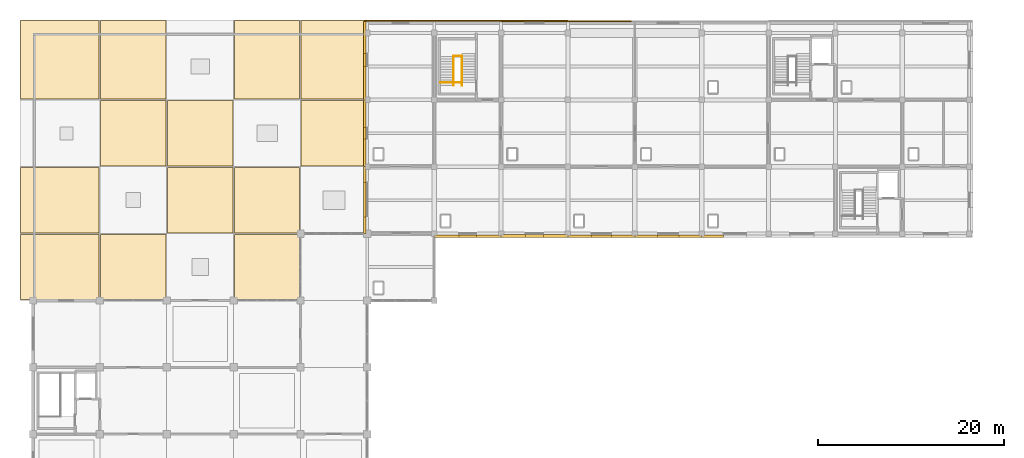
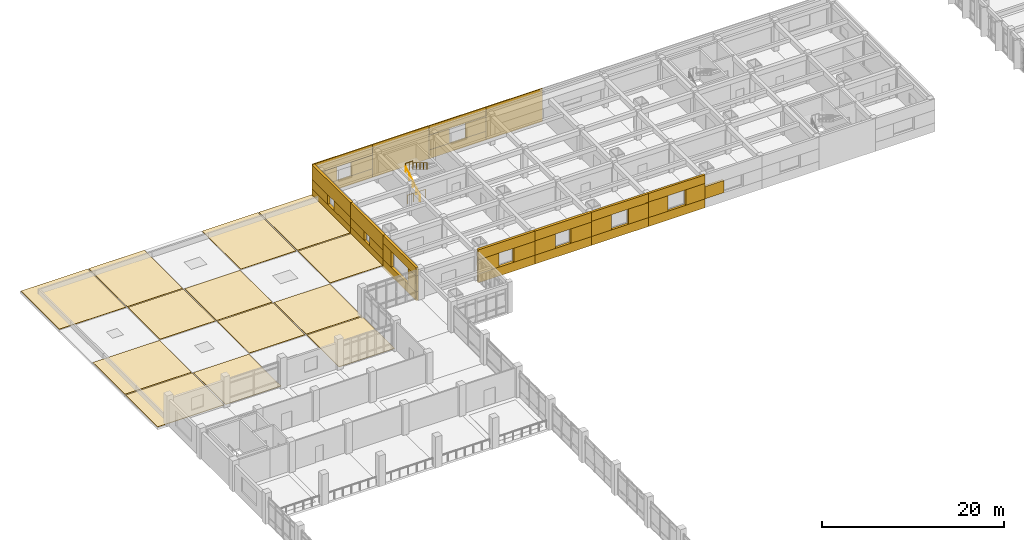
# One storey, part 60 of 62: 52 coverings, 4 railings.
"""IFC4 building model written with IfcOpenShell, lengths in metres."""

from ifc_helpers import new_model, si_unit, direction, frame, origin, origin_2d, place, context, subcontext, project, spatial, polyline, circle, outline, extrude, material, layer, layer_set, type_object, element, save


model = new_model("IFC4")

# Units and contexts
model_context = context("Model", 3, precision=1e-05, world=origin(), true_north=direction((0.0, 1.0)))
body_context = subcontext(model_context, "Body", "Model", "MODEL_VIEW")
ifc_project = project(units=[si_unit("LENGTHUNIT", "METRE"), si_unit("AREAUNIT", "SQUARE_METRE"), si_unit("VOLUMEUNIT", "CUBIC_METRE"), si_unit("PLANEANGLEUNIT", "RADIAN"), si_unit("MASSUNIT", "GRAM", prefix="KILO")], contexts=[model_context])

# Site, building, storey
site_placement = place(None, origin())
site = spatial("IfcSite", under=ifc_project, at=site_placement, CompositionType="ELEMENT")
building_placement = place(site_placement, origin())
building = spatial("IfcBuilding", under=site, at=building_placement, Name="Kavelor Marine Aquarium", CompositionType="ELEMENT")
storey_placement = place(building_placement, frame((0.0, 0.0, 13.5)))
storey = spatial("IfcBuildingStorey", under=building, at=storey_placement, Name="L03", CompositionType="ELEMENT", Elevation=13.5)

# Coverings
ifc_material_1 = material(Name="TPO Reflective Waterproof Roofing Membrane")
ifc_layer_1 = layer(ifc_material_1, 0.06005859375)
ifc_layer_set_1 = layer_set([ifc_layer_1], Name="COV-RF1")
covering_type_1 = type_object("IfcCoveringType", Name="COV-RF1", PredefinedType="ROOFING", material=ifc_layer_set_1)
covering_1_placement = place(storey_placement, origin())
element("IfcCovering", 1, at=covering_1_placement, inside=storey, type_object=covering_type_1, Name="rcov:L03:00_11", PredefinedType="ROOFING", context=body_context, shape_type="SweptSolid", body=[
    extrude(outline(polyline([(1.8798828125, 82.080078125), (10.320068359375, 82.080078125), (10.320068359375, 89.1201171875), (1.8798828125, 89.1201171875), (1.8798828125, 82.080078125)])), origin(), (0.0, 0.0, 1.0), 0.06005859375),
])
covering_2_placement = place(storey_placement, origin())
element("IfcCovering", 2, at=covering_2_placement, inside=storey, type_object=covering_type_1, Name="rcov:L03:00_12", PredefinedType="ROOFING", context=body_context, shape_type="SweptSolid", body=[
    extrude(outline(polyline([(1.8798828125, 89.280029296875), (10.320068359375, 89.280029296875), (10.320068359375, 96.320068359375), (1.8798828125, 96.320068359375), (1.8798828125, 89.280029296875)])), origin(), (0.0, 0.0, 1.0), 0.06005859375),
])
covering_3_placement = place(storey_placement, origin())
element("IfcCovering", 3, at=covering_3_placement, inside=storey, type_object=covering_type_1, Name="rcov:L03:00_14", PredefinedType="ROOFING", context=body_context, shape_type="SweptSolid", body=[
    extrude(outline(polyline([(1.8798828125, 103.679931640625), (10.320068359375, 103.679931640625), (10.320068359375, 112.1201171875), (1.8798828125, 112.1201171875), (1.8798828125, 103.679931640625)])), origin(), (0.0, 0.0, 1.0), 0.06005859375),
])
covering_4_placement = place(storey_placement, origin())
element("IfcCovering", 4, at=covering_4_placement, inside=storey, type_object=covering_type_1, Name="rcov:L03:01_11", PredefinedType="ROOFING", context=body_context, shape_type="SweptSolid", body=[
    extrude(outline(polyline([(10.47998046875, 82.080078125), (17.52001953125, 82.080078125), (17.52001953125, 89.1201171875), (10.47998046875, 89.1201171875), (10.47998046875, 82.080078125)])), origin(), (0.0, 0.0, 1.0), 0.06005859375),
])
covering_5_placement = place(storey_placement, origin())
element("IfcCovering", 5, at=covering_5_placement, inside=storey, type_object=covering_type_1, Name="rcov:L03:01_13", PredefinedType="ROOFING", context=body_context, shape_type="SweptSolid", body=[
    extrude(outline(polyline([(10.47998046875, 96.47998046875), (17.52001953125, 96.47998046875), (17.52001953125, 103.52001953125), (10.47998046875, 103.52001953125), (10.47998046875, 96.47998046875)])), origin(), (0.0, 0.0, 1.0), 0.06005859375),
])
covering_6_placement = place(storey_placement, origin())
element("IfcCovering", 6, at=covering_6_placement, inside=storey, type_object=covering_type_1, Name="rcov:L03:01_14", PredefinedType="ROOFING", context=body_context, shape_type="SweptSolid", body=[
    extrude(outline(polyline([(10.47998046875, 103.679931640625), (17.52001953125, 103.679931640625), (17.52001953125, 112.1201171875), (10.47998046875, 112.1201171875), (10.47998046875, 103.679931640625)])), origin(), (0.0, 0.0, 1.0), 0.06005859375),
])
covering_7_placement = place(storey_placement, origin())
element("IfcCovering", 7, at=covering_7_placement, inside=storey, type_object=covering_type_1, Name="rcov:L03:02_12", PredefinedType="ROOFING", context=body_context, shape_type="SweptSolid", body=[
    extrude(outline(polyline([(17.679931640625, 89.280029296875), (24.719970703125, 89.280029296875), (24.719970703125, 96.320068359375), (17.679931640625, 96.320068359375), (17.679931640625, 89.280029296875)])), origin(), (0.0, 0.0, 1.0), 0.06005859375),
])
covering_8_placement = place(storey_placement, origin())
element("IfcCovering", 8, at=covering_8_placement, inside=storey, type_object=covering_type_1, Name="rcov:L03:02_13", PredefinedType="ROOFING", context=body_context, shape_type="SweptSolid", body=[
    extrude(outline(polyline([(17.679931640625, 96.47998046875), (24.719970703125, 96.47998046875), (24.719970703125, 103.52001953125), (17.679931640625, 103.52001953125), (17.679931640625, 96.47998046875)])), origin(), (0.0, 0.0, 1.0), 0.06005859375),
])
covering_9_placement = place(storey_placement, origin())
element("IfcCovering", 9, at=covering_9_placement, inside=storey, type_object=covering_type_1, Name="rcov:L03:03_11", PredefinedType="ROOFING", context=body_context, shape_type="SweptSolid", body=[
    extrude(outline(polyline([(24.8798828125, 82.080078125), (31.919921875, 82.080078125), (31.919921875, 89.1201171875), (24.8798828125, 89.1201171875), (24.8798828125, 82.080078125)])), origin(), (0.0, 0.0, 1.0), 0.06005859375),
])
covering_10_placement = place(storey_placement, origin())
element("IfcCovering", 10, at=covering_10_placement, inside=storey, type_object=covering_type_1, Name="rcov:L03:03_12", PredefinedType="ROOFING", context=body_context, shape_type="SweptSolid", body=[
    extrude(outline(polyline([(24.8798828125, 89.280029296875), (31.919921875, 89.280029296875), (31.919921875, 96.320068359375), (24.8798828125, 96.320068359375), (24.8798828125, 89.280029296875)])), origin(), (0.0, 0.0, 1.0), 0.06005859375),
])
covering_11_placement = place(storey_placement, origin())
element("IfcCovering", 11, at=covering_11_placement, inside=storey, type_object=covering_type_1, Name="rcov:L03:03_14", PredefinedType="ROOFING", context=body_context, shape_type="SweptSolid", body=[
    extrude(outline(polyline([(24.8798828125, 103.679931640625), (31.919921875, 103.679931640625), (31.919921875, 112.1201171875), (24.8798828125, 112.1201171875), (24.8798828125, 103.679931640625)])), origin(), (0.0, 0.0, 1.0), 0.06005859375),
])
covering_12_placement = place(storey_placement, origin())
element("IfcCovering", 12, at=covering_12_placement, inside=storey, type_object=covering_type_1, Name="rcov:L03:04_13", PredefinedType="ROOFING", context=body_context, shape_type="SweptSolid", body=[
    extrude(outline(polyline([(32.080078125, 96.47998046875), (39.1201171875, 96.47998046875), (39.1201171875, 103.52001953125), (32.080078125, 103.52001953125), (32.080078125, 96.47998046875)])), origin(), (0.0, 0.0, 1.0), 0.06005859375),
])
covering_13_placement = place(storey_placement, origin())
element("IfcCovering", 13, at=covering_13_placement, inside=storey, type_object=covering_type_1, Name="rcov:L03:04_14", PredefinedType="ROOFING", context=body_context, shape_type="SweptSolid", body=[
    extrude(outline(polyline([(32.080078125, 103.679931640625), (39.1201171875, 103.679931640625), (39.1201171875, 112.1201171875), (32.080078125, 112.1201171875), (32.080078125, 103.679931640625)])), origin(), (0.0, 0.0, 1.0), 0.06005859375),
])
ifc_material_2 = material(Name="Smooth White Marine Aluminium Composite Cladding", Category="aluminium")
ifc_layer_2 = layer(ifc_material_2, 0.10009765625)
ifc_layer_set_2 = layer_set([ifc_layer_2], Name="COV-WM1")
covering_type_2 = type_object("IfcCoveringType", Name="COV-WM1", PredefinedType="CLADDING", material=ifc_layer_set_2)
covering_14_placement = place(storey_placement, frame((0.0, 0.0, -0.280029296875)))
element("IfcCovering", 14, at=covering_14_placement, inside=storey, type_object=covering_type_2, Name="wmc:x:L03:05_15:sill", PredefinedType="CLADDING", context=body_context, shape_type="SweptSolid", body=[
    extrude(outline(polyline([(38.85009765625, 112.0400390625), (46.39990234375, 112.0400390625), (46.39990234375, 112.159912109375), (38.85009765625, 112.159912109375), (38.85009765625, 112.0400390625)])), origin(), (0.0, 0.0, 1.0), 1.18994140625),
])
covering_15_placement = place(storey_placement, frame((0.0, 0.0, 2.739990234375)))
element("IfcCovering", 15, at=covering_15_placement, inside=storey, type_object=covering_type_2, Name="wmc:x:L03:05_15:head", PredefinedType="CLADDING", context=body_context, shape_type="SweptSolid", body=[
    extrude(outline(polyline([(38.85009765625, 112.0400390625), (46.39990234375, 112.0400390625), (46.39990234375, 112.159912109375), (38.85009765625, 112.159912109375), (38.85009765625, 112.0400390625)])), origin(), (0.0, 0.0, 1.0), 1.39990234375),
])
covering_16_placement = place(storey_placement, frame((0.0, 0.0, 0.909912109375)))
element("IfcCovering", 16, at=covering_16_placement, inside=storey, type_object=covering_type_2, Name="wmc:x:L03:05_15:left", PredefinedType="CLADDING", context=body_context, shape_type="SweptSolid", body=[
    extrude(outline(polyline([(38.85009765625, 112.0400390625), (41.909912109375, 112.0400390625), (41.909912109375, 112.159912109375), (38.85009765625, 112.159912109375), (38.85009765625, 112.0400390625)])), origin(), (0.0, 0.0, 1.0), 1.830078125),
])
covering_17_placement = place(storey_placement, frame((0.0, 0.0, 0.909912109375)))
element("IfcCovering", 17, at=covering_17_placement, inside=storey, type_object=covering_type_2, Name="wmc:x:L03:05_15:right", PredefinedType="CLADDING", context=body_context, shape_type="SweptSolid", body=[
    extrude(outline(polyline([(43.68994140625, 112.0400390625), (46.39990234375, 112.0400390625), (46.39990234375, 112.159912109375), (43.68994140625, 112.159912109375), (43.68994140625, 112.0400390625)])), origin(), (0.0, 0.0, 1.0), 1.830078125),
])
covering_18_placement = place(storey_placement, frame((0.0, 0.0, -0.280029296875)))
element("IfcCovering", 18, at=covering_18_placement, inside=storey, type_object=covering_type_2, Name="wmc:x:L03:06_12:sill", PredefinedType="CLADDING", context=body_context, shape_type="SweptSolid", body=[
    extrude(outline(polyline([(46.39990234375, 88.760009765625), (53.60009765625, 88.760009765625), (53.60009765625, 89.070068359375), (46.39990234375, 89.070068359375), (46.39990234375, 88.760009765625)])), origin(), (0.0, 0.0, 1.0), 1.18994140625),
])
covering_19_placement = place(storey_placement, frame((0.0, 0.0, 2.7900390625)))
element("IfcCovering", 19, at=covering_19_placement, inside=storey, type_object=covering_type_2, Name="wmc:x:L03:06_12:head", PredefinedType="CLADDING", context=body_context, shape_type="SweptSolid", body=[
    extrude(outline(polyline([(46.39990234375, 88.760009765625), (53.60009765625, 88.760009765625), (53.60009765625, 89.070068359375), (46.39990234375, 89.070068359375), (46.39990234375, 88.760009765625)])), origin(), (0.0, 0.0, 1.0), 1.349853515625),
])
covering_20_placement = place(storey_placement, frame((0.0, 0.0, 0.909912109375)))
element("IfcCovering", 20, at=covering_20_placement, inside=storey, type_object=covering_type_2, Name="wmc:x:L03:06_12:left", PredefinedType="CLADDING", context=body_context, shape_type="SweptSolid", body=[
    extrude(outline(polyline([(46.39990234375, 88.760009765625), (49.06005859375, 88.760009765625), (49.06005859375, 89.070068359375), (46.39990234375, 89.070068359375), (46.39990234375, 88.760009765625)])), origin(), (0.0, 0.0, 1.0), 1.880126953125),
])
covering_21_placement = place(storey_placement, frame((0.0, 0.0, 0.909912109375)))
element("IfcCovering", 21, at=covering_21_placement, inside=storey, type_object=covering_type_2, Name="wmc:x:L03:06_12:right", PredefinedType="CLADDING", context=body_context, shape_type="SweptSolid", body=[
    extrude(outline(polyline([(50.93994140625, 88.760009765625), (53.60009765625, 88.760009765625), (53.60009765625, 89.070068359375), (50.93994140625, 89.070068359375), (50.93994140625, 88.760009765625)])), origin(), (0.0, 0.0, 1.0), 1.880126953125),
])
covering_22_placement = place(storey_placement, frame((0.0, 0.0, -0.280029296875)))
element("IfcCovering", 22, at=covering_22_placement, inside=storey, type_object=covering_type_2, Name="wmc:x:L03:06_15:full", PredefinedType="CLADDING", context=body_context, shape_type="SweptSolid", body=[
    extrude(outline(polyline([(46.39990234375, 112.050048828125), (53.60009765625, 112.050048828125), (53.60009765625, 112.169921875), (46.39990234375, 112.169921875), (46.39990234375, 112.050048828125)])), origin(), (0.0, 0.0, 1.0), 4.419921875),
])
covering_23_placement = place(storey_placement, frame((0.0, 0.0, -0.280029296875)))
element("IfcCovering", 23, at=covering_23_placement, inside=storey, type_object=covering_type_2, Name="wmc:x:L03:07_12:sill", PredefinedType="CLADDING", context=body_context, shape_type="SweptSolid", body=[
    extrude(outline(polyline([(53.60009765625, 88.760009765625), (60.800048828125, 88.760009765625), (60.800048828125, 89.080078125), (53.60009765625, 89.080078125), (53.60009765625, 88.760009765625)])), origin(), (0.0, 0.0, 1.0), 1.18994140625),
])
covering_24_placement = place(storey_placement, frame((0.0, 0.0, 2.840087890625)))
element("IfcCovering", 24, at=covering_24_placement, inside=storey, type_object=covering_type_2, Name="wmc:x:L03:07_12:head", PredefinedType="CLADDING", context=body_context, shape_type="SweptSolid", body=[
    extrude(outline(polyline([(53.60009765625, 88.760009765625), (60.800048828125, 88.760009765625), (60.800048828125, 89.080078125), (53.60009765625, 89.080078125), (53.60009765625, 88.760009765625)])), origin(), (0.0, 0.0, 1.0), 1.2998046875),
])
covering_25_placement = place(storey_placement, frame((0.0, 0.0, 0.909912109375)))
element("IfcCovering", 25, at=covering_25_placement, inside=storey, type_object=covering_type_2, Name="wmc:x:L03:07_12:left", PredefinedType="CLADDING", context=body_context, shape_type="SweptSolid", body=[
    extrude(outline(polyline([(53.60009765625, 88.760009765625), (56.2099609375, 88.760009765625), (56.2099609375, 89.080078125), (53.60009765625, 89.080078125), (53.60009765625, 88.760009765625)])), origin(), (0.0, 0.0, 1.0), 1.93017578125),
])
covering_26_placement = place(storey_placement, frame((0.0, 0.0, 0.909912109375)))
element("IfcCovering", 26, at=covering_26_placement, inside=storey, type_object=covering_type_2, Name="wmc:x:L03:07_12:right", PredefinedType="CLADDING", context=body_context, shape_type="SweptSolid", body=[
    extrude(outline(polyline([(58.18994140625, 88.760009765625), (60.800048828125, 88.760009765625), (60.800048828125, 89.080078125), (58.18994140625, 89.080078125), (58.18994140625, 88.760009765625)])), origin(), (0.0, 0.0, 1.0), 1.93017578125),
])
covering_27_placement = place(storey_placement, frame((0.0, 0.0, -0.280029296875)))
element("IfcCovering", 27, at=covering_27_placement, inside=storey, type_object=covering_type_2, Name="wmc:x:L03:07_15:sill", PredefinedType="CLADDING", context=body_context, shape_type="SweptSolid", body=[
    extrude(outline(polyline([(53.60009765625, 112.030029296875), (60.800048828125, 112.030029296875), (60.800048828125, 112.14990234375), (53.60009765625, 112.14990234375), (53.60009765625, 112.030029296875)])), origin(), (0.0, 0.0, 1.0), 1.18994140625),
])
covering_28_placement = place(storey_placement, frame((0.0, 0.0, 2.889892578125)))
element("IfcCovering", 28, at=covering_28_placement, inside=storey, type_object=covering_type_2, Name="wmc:x:L03:07_15:head", PredefinedType="CLADDING", context=body_context, shape_type="SweptSolid", body=[
    extrude(outline(polyline([(53.60009765625, 112.030029296875), (60.800048828125, 112.030029296875), (60.800048828125, 112.14990234375), (53.60009765625, 112.14990234375), (53.60009765625, 112.030029296875)])), origin(), (0.0, 0.0, 1.0), 1.25),
])
covering_29_placement = place(storey_placement, frame((0.0, 0.0, 0.909912109375)))
element("IfcCovering", 29, at=covering_29_placement, inside=storey, type_object=covering_type_2, Name="wmc:x:L03:07_15:left", PredefinedType="CLADDING", context=body_context, shape_type="SweptSolid", body=[
    extrude(outline(polyline([(53.60009765625, 112.030029296875), (56.159912109375, 112.030029296875), (56.159912109375, 112.14990234375), (53.60009765625, 112.14990234375), (53.60009765625, 112.030029296875)])), origin(), (0.0, 0.0, 1.0), 1.97998046875),
])
covering_30_placement = place(storey_placement, frame((0.0, 0.0, 0.909912109375)))
element("IfcCovering", 30, at=covering_30_placement, inside=storey, type_object=covering_type_2, Name="wmc:x:L03:07_15:right", PredefinedType="CLADDING", context=body_context, shape_type="SweptSolid", body=[
    extrude(outline(polyline([(58.239990234375, 112.030029296875), (60.800048828125, 112.030029296875), (60.800048828125, 112.14990234375), (58.239990234375, 112.14990234375), (58.239990234375, 112.030029296875)])), origin(), (0.0, 0.0, 1.0), 1.97998046875),
])
covering_31_placement = place(storey_placement, frame((0.0, 0.0, -0.280029296875)))
element("IfcCovering", 31, at=covering_31_placement, inside=storey, type_object=covering_type_2, Name="wmc:x:L03:08_12:sill", PredefinedType="CLADDING", context=body_context, shape_type="SweptSolid", body=[
    extrude(outline(polyline([(60.800048828125, 88.760009765625), (68.0, 88.760009765625), (68.0, 89.0400390625), (60.800048828125, 89.0400390625), (60.800048828125, 88.760009765625)])), origin(), (0.0, 0.0, 1.0), 1.18994140625),
])
covering_32_placement = place(storey_placement, frame((0.0, 0.0, 2.93994140625)))
element("IfcCovering", 32, at=covering_32_placement, inside=storey, type_object=covering_type_2, Name="wmc:x:L03:08_12:head", PredefinedType="CLADDING", context=body_context, shape_type="SweptSolid", body=[
    extrude(outline(polyline([(60.800048828125, 88.760009765625), (68.0, 88.760009765625), (68.0, 89.0400390625), (60.800048828125, 89.0400390625), (60.800048828125, 88.760009765625)])), origin(), (0.0, 0.0, 1.0), 1.199951171875),
])
covering_33_placement = place(storey_placement, frame((0.0, 0.0, 0.909912109375)))
element("IfcCovering", 33, at=covering_33_placement, inside=storey, type_object=covering_type_2, Name="wmc:x:L03:08_12:left", PredefinedType="CLADDING", context=body_context, shape_type="SweptSolid", body=[
    extrude(outline(polyline([(60.800048828125, 88.760009765625), (63.31005859375, 88.760009765625), (63.31005859375, 89.0400390625), (60.800048828125, 89.0400390625), (60.800048828125, 88.760009765625)])), origin(), (0.0, 0.0, 1.0), 2.030029296875),
])
covering_34_placement = place(storey_placement, frame((0.0, 0.0, 0.909912109375)))
element("IfcCovering", 34, at=covering_34_placement, inside=storey, type_object=covering_type_2, Name="wmc:x:L03:08_12:right", PredefinedType="CLADDING", context=body_context, shape_type="SweptSolid", body=[
    extrude(outline(polyline([(65.489990234375, 88.760009765625), (68.0, 88.760009765625), (68.0, 89.0400390625), (65.489990234375, 89.0400390625), (65.489990234375, 88.760009765625)])), origin(), (0.0, 0.0, 1.0), 2.030029296875),
])
covering_35_placement = place(storey_placement, frame((0.0, 0.0, -0.280029296875)))
element("IfcCovering", 35, at=covering_35_placement, inside=storey, type_object=covering_type_2, Name="wmc:x:L03:08_15:full", PredefinedType="CLADDING", context=body_context, shape_type="SweptSolid", body=[
    extrude(outline(polyline([(60.800048828125, 112.02001953125), (68.0, 112.02001953125), (68.0, 112.139892578125), (60.800048828125, 112.139892578125), (60.800048828125, 112.02001953125)])), origin(), (0.0, 0.0, 1.0), 4.419921875),
])
covering_36_placement = place(storey_placement, frame((0.0, 0.0, -0.280029296875)))
element("IfcCovering", 36, at=covering_36_placement, inside=storey, type_object=covering_type_2, Name="wmc:x:L03:09_12:sill", PredefinedType="CLADDING", context=body_context, shape_type="SweptSolid", body=[
    extrude(outline(polyline([(67.64990234375, 88.760009765625), (75.199951171875, 88.760009765625), (75.199951171875, 89.030029296875), (67.64990234375, 89.030029296875), (67.64990234375, 88.760009765625)])), origin(), (0.0, 0.0, 1.0), 1.18994140625),
])
covering_37_placement = place(storey_placement, frame((0.0, 0.0, 2.989990234375)))
element("IfcCovering", 37, at=covering_37_placement, inside=storey, type_object=covering_type_2, Name="wmc:x:L03:09_12:head", PredefinedType="CLADDING", context=body_context, shape_type="SweptSolid", body=[
    extrude(outline(polyline([(67.64990234375, 88.760009765625), (75.199951171875, 88.760009765625), (75.199951171875, 89.030029296875), (67.64990234375, 89.030029296875), (67.64990234375, 88.760009765625)])), origin(), (0.0, 0.0, 1.0), 1.14990234375),
])
covering_38_placement = place(storey_placement, frame((0.0, 0.0, 0.909912109375)))
element("IfcCovering", 38, at=covering_38_placement, inside=storey, type_object=covering_type_2, Name="wmc:x:L03:09_12:left", PredefinedType="CLADDING", context=body_context, shape_type="SweptSolid", body=[
    extrude(outline(polyline([(67.64990234375, 88.760009765625), (70.4599609375, 88.760009765625), (70.4599609375, 89.030029296875), (67.64990234375, 89.030029296875), (67.64990234375, 88.760009765625)])), origin(), (0.0, 0.0, 1.0), 2.080078125),
])
covering_39_placement = place(storey_placement, frame((0.0, 0.0, 0.909912109375)))
element("IfcCovering", 39, at=covering_39_placement, inside=storey, type_object=covering_type_2, Name="wmc:x:L03:09_12:right", PredefinedType="CLADDING", context=body_context, shape_type="SweptSolid", body=[
    extrude(outline(polyline([(72.739990234375, 88.760009765625), (75.199951171875, 88.760009765625), (75.199951171875, 89.030029296875), (72.739990234375, 89.030029296875), (72.739990234375, 88.760009765625)])), origin(), (0.0, 0.0, 1.0), 2.080078125),
])
covering_40_placement = place(storey_placement, frame((0.0, 0.0, 0.909912109375)))
element("IfcCovering", 40, at=covering_40_placement, inside=storey, type_object=covering_type_2, Name="wmc:x:L03:10_12:left", PredefinedType="CLADDING", context=body_context, shape_type="SweptSolid", body=[
    extrude(outline(polyline([(75.199951171875, 88.760009765625), (77.56005859375, 88.760009765625), (77.56005859375, 89.050048828125), (75.199951171875, 89.050048828125), (75.199951171875, 88.760009765625)])), origin(), (0.0, 0.0, 1.0), 1.630126953125),
])
covering_41_placement = place(storey_placement, frame((0.0, 0.0, -0.280029296875)))
element("IfcCovering", 41, at=covering_41_placement, inside=storey, type_object=covering_type_2, Name="wmc:y:L03:05_12:sill", PredefinedType="CLADDING", context=body_context, shape_type="SweptSolid", body=[
    extrude(outline(polyline([(38.760009765625, 89.199951171875), (39.06005859375, 89.199951171875), (39.06005859375, 96.39990234375), (38.760009765625, 96.39990234375), (38.760009765625, 89.199951171875)])), origin(), (0.0, 0.0, 1.0), 1.18994140625),
])
covering_42_placement = place(storey_placement, frame((0.0, 0.0, 3.0400390625)))
element("IfcCovering", 42, at=covering_42_placement, inside=storey, type_object=covering_type_2, Name="wmc:y:L03:05_12:head", PredefinedType="CLADDING", context=body_context, shape_type="SweptSolid", body=[
    extrude(outline(polyline([(38.760009765625, 89.199951171875), (39.06005859375, 89.199951171875), (39.06005859375, 96.39990234375), (38.760009765625, 96.39990234375), (38.760009765625, 89.199951171875)])), origin(), (0.0, 0.0, 1.0), 1.099853515625),
])
covering_43_placement = place(storey_placement, frame((0.0, 0.0, 0.909912109375)))
element("IfcCovering", 43, at=covering_43_placement, inside=storey, type_object=covering_type_2, Name="wmc:y:L03:05_12:left", PredefinedType="CLADDING", context=body_context, shape_type="SweptSolid", body=[
    extrude(outline(polyline([(38.760009765625, 89.199951171875), (39.06005859375, 89.199951171875), (39.06005859375, 91.010009765625), (38.760009765625, 91.010009765625), (38.760009765625, 89.199951171875)])), origin(), (0.0, 0.0, 1.0), 2.130126953125),
])
covering_44_placement = place(storey_placement, frame((0.0, 0.0, 0.909912109375)))
element("IfcCovering", 44, at=covering_44_placement, inside=storey, type_object=covering_type_2, Name="wmc:y:L03:05_12:right", PredefinedType="CLADDING", context=body_context, shape_type="SweptSolid", body=[
    extrude(outline(polyline([(38.760009765625, 94.68994140625), (39.06005859375, 94.68994140625), (39.06005859375, 96.39990234375), (38.760009765625, 96.39990234375), (38.760009765625, 94.68994140625)])), origin(), (0.0, 0.0, 1.0), 2.130126953125),
])
covering_45_placement = place(storey_placement, frame((0.0, 0.0, -0.280029296875)))
element("IfcCovering", 45, at=covering_45_placement, inside=storey, type_object=covering_type_2, Name="wmc:y:L03:05_13:sill", PredefinedType="CLADDING", context=body_context, shape_type="SweptSolid", body=[
    extrude(outline(polyline([(38.760009765625, 96.39990234375), (39.070068359375, 96.39990234375), (39.070068359375, 103.60009765625), (38.760009765625, 103.60009765625), (38.760009765625, 96.39990234375)])), origin(), (0.0, 0.0, 1.0), 1.18994140625),
])
covering_46_placement = place(storey_placement, frame((0.0, 0.0, 2.139892578125)))
element("IfcCovering", 46, at=covering_46_placement, inside=storey, type_object=covering_type_2, Name="wmc:y:L03:05_13:head", PredefinedType="CLADDING", context=body_context, shape_type="SweptSolid", body=[
    extrude(outline(polyline([(38.760009765625, 96.39990234375), (39.070068359375, 96.39990234375), (39.070068359375, 103.60009765625), (38.760009765625, 103.60009765625), (38.760009765625, 96.39990234375)])), origin(), (0.0, 0.0, 1.0), 2.0),
])
covering_47_placement = place(storey_placement, frame((0.0, 0.0, 0.909912109375)))
element("IfcCovering", 47, at=covering_47_placement, inside=storey, type_object=covering_type_2, Name="wmc:y:L03:05_13:left", PredefinedType="CLADDING", context=body_context, shape_type="SweptSolid", body=[
    extrude(outline(polyline([(38.760009765625, 96.39990234375), (39.070068359375, 96.39990234375), (39.070068359375, 99.385009765625), (38.760009765625, 99.385009765625), (38.760009765625, 96.39990234375)])), origin(), (0.0, 0.0, 1.0), 1.22998046875),
])
covering_48_placement = place(storey_placement, frame((0.0, 0.0, 0.909912109375)))
element("IfcCovering", 48, at=covering_48_placement, inside=storey, type_object=covering_type_2, Name="wmc:y:L03:05_13:right", PredefinedType="CLADDING", context=body_context, shape_type="SweptSolid", body=[
    extrude(outline(polyline([(38.760009765625, 100.614990234375), (39.070068359375, 100.614990234375), (39.070068359375, 103.60009765625), (38.760009765625, 103.60009765625), (38.760009765625, 100.614990234375)])), origin(), (0.0, 0.0, 1.0), 1.22998046875),
])
covering_49_placement = place(storey_placement, frame((0.0, 0.0, -0.280029296875)))
element("IfcCovering", 49, at=covering_49_placement, inside=storey, type_object=covering_type_2, Name="wmc:y:L03:05_14:sill", PredefinedType="CLADDING", context=body_context, shape_type="SweptSolid", body=[
    extrude(outline(polyline([(38.760009765625, 103.60009765625), (39.080078125, 103.60009765625), (39.080078125, 112.0400390625), (38.760009765625, 112.0400390625), (38.760009765625, 103.60009765625)])), origin(), (0.0, 0.0, 1.0), 1.18994140625),
])
covering_50_placement = place(storey_placement, frame((0.0, 0.0, 2.18994140625)))
element("IfcCovering", 50, at=covering_50_placement, inside=storey, type_object=covering_type_2, Name="wmc:y:L03:05_14:head", PredefinedType="CLADDING", context=body_context, shape_type="SweptSolid", body=[
    extrude(outline(polyline([(38.760009765625, 103.60009765625), (39.080078125, 103.60009765625), (39.080078125, 112.0400390625), (38.760009765625, 112.0400390625), (38.760009765625, 103.60009765625)])), origin(), (0.0, 0.0, 1.0), 1.949951171875),
])
covering_51_placement = place(storey_placement, frame((0.0, 0.0, 0.909912109375)))
element("IfcCovering", 51, at=covering_51_placement, inside=storey, type_object=covering_type_2, Name="wmc:y:L03:05_14:left", PredefinedType="CLADDING", context=body_context, shape_type="SweptSolid", body=[
    extrude(outline(polyline([(38.760009765625, 103.60009765625), (39.080078125, 103.60009765625), (39.080078125, 107.172607421875), (38.760009765625, 107.172607421875), (38.760009765625, 103.60009765625)])), origin(), (0.0, 0.0, 1.0), 1.280029296875),
])
covering_52_placement = place(storey_placement, frame((0.0, 0.0, 0.909912109375)))
element("IfcCovering", 52, at=covering_52_placement, inside=storey, type_object=covering_type_2, Name="wmc:y:L03:05_14:right", PredefinedType="CLADDING", context=body_context, shape_type="SweptSolid", body=[
    extrude(outline(polyline([(38.760009765625, 108.6025390625), (39.080078125, 108.6025390625), (39.080078125, 112.0400390625), (38.760009765625, 112.0400390625), (38.760009765625, 108.6025390625)])), origin(), (0.0, 0.0, 1.0), 1.280029296875),
])

# Railings
ifc_material_3 = material(Name="Brushed Stainless Steel Wall and Flight Handrail", Category="steel")
railing_type_1 = type_object("IfcRailingType", Name="RL-HR1", PredefinedType="HANDRAIL", material=ifc_material_3)
railing_1_placement = place(storey_placement, frame((48.489990234375, 105.159912109375, 0.0)))
element("IfcRailing", 53, at=railing_1_placement, inside=storey, type_object=railing_type_1, Name="Stair Handrail ST05-1", PredefinedType="HANDRAIL", context=body_context, shape_type="SweptSolid", body=[
    extrude(circle(Radius=0.02001953125, at=origin_2d()), frame((0.0, 0.0, 0.8798828125), z_axis=(0.0, 0.855505515513, 0.517793697264), x_axis=(-1.0, 0.0, 0.0)), (0.0, 0.0, 1.0), 3.66455078125),
    extrude(circle(Radius=0.01806640625, at=origin_2d()), origin(), (0.0, 0.0, 1.0), 0.85986328125),
    extrude(circle(Radius=0.01806640625, at=origin_2d()), frame((0.0, 0.78369140625, 0.474365234375)), (0.0, 0.0, 1.0), 0.85986328125),
    extrude(circle(Radius=0.01806640625, at=origin_2d()), frame((0.0, 1.5673828125, 0.94873046875)), (0.0, 0.0, 1.0), 0.85986328125),
    extrude(circle(Radius=0.01806640625, at=origin_2d()), frame((0.0, 2.351318359375, 1.423095703125)), (0.0, 0.0, 1.0), 0.85986328125),
    extrude(circle(Radius=0.01806640625, at=origin_2d()), frame((0.0, 3.135009765625, 1.8974609375)), (0.0, 0.0, 1.0), 0.85986328125),
])
railing_2_placement = place(storey_placement, frame((49.389892578125, 108.294921875, 2.070068359375)))
element("IfcRailing", 54, at=railing_2_placement, inside=storey, type_object=railing_type_1, Name="Stair Handrail ST05-2", PredefinedType="HANDRAIL", context=body_context, shape_type="SweptSolid", body=[
    extrude(circle(Radius=0.02001953125, at=origin_2d()), frame((0.0, 0.0, 0.8798828125), z_axis=(0.0, -0.855505515513, 0.517793697264), x_axis=(1.0, 0.0, 0.0)), (0.0, 0.0, 1.0), 3.66455078125),
    extrude(circle(Radius=0.01806640625, at=origin_2d()), origin(), (0.0, 0.0, 1.0), 0.85986328125),
    extrude(circle(Radius=0.01806640625, at=origin_2d()), frame((0.0, -0.78369140625, 0.474365234375)), (0.0, 0.0, 1.0), 0.85986328125),
    extrude(circle(Radius=0.01806640625, at=origin_2d()), frame((0.0, -1.5673828125, 0.94873046875)), (0.0, 0.0, 1.0), 0.85986328125),
    extrude(circle(Radius=0.01806640625, at=origin_2d()), frame((0.0, -2.351318359375, 1.423095703125)), (0.0, 0.0, 1.0), 0.85986328125),
    extrude(circle(Radius=0.01806640625, at=origin_2d()), frame((0.0, -3.135009765625, 1.8974609375)), (0.0, 0.0, 1.0), 0.85986328125),
])
ifc_material_4 = material(Name="Brushed Stainless Steel Stair Guardrail", Category="steel")
railing_type_2 = type_object("IfcRailingType", Name="RL-SG1", PredefinedType="GUARDRAIL", material=ifc_material_4)
railing_3_placement = place(storey_placement, frame((48.489990234375, 108.324951171875, 2.070068359375)))
element("IfcRailing", 55, at=railing_3_placement, inside=storey, type_object=railing_type_2, Name="Landing Guardrail ST05-M", PredefinedType="GUARDRAIL", context=body_context, shape_type="SweptSolid", body=[
    extrude(circle(Radius=0.0224609375, at=origin_2d()), frame((0.0, 0.0, 1.09765625), z_axis=(1.0, 0.0, 0.0), x_axis=(0.0, 1.0, 0.0)), (0.0, 0.0, 1.0), 0.89990234375),
    extrude(circle(Radius=0.02099609375, at=origin_2d()), origin(), (0.0, 0.0, 1.0), 1.0751953125),
    extrude(circle(Radius=0.02099609375, at=origin_2d()), frame((0.449951171875, 0.0, 0.0)), (0.0, 0.0, 1.0), 1.0751953125),
    extrude(circle(Radius=0.02099609375, at=origin_2d()), frame((0.89990234375, 0.0, 0.0)), (0.0, 0.0, 1.0), 1.0751953125),
])
railing_4_placement = place(storey_placement, frame((47.080078125, 105.47998046875, 0.0)))
element("IfcRailing", 56, at=railing_4_placement, inside=storey, type_object=railing_type_2, Name="Stairwell Guardrail ST05-W", PredefinedType="GUARDRAIL", context=body_context, shape_type="SweptSolid", body=[
    extrude(circle(Radius=0.0224609375, at=origin_2d()), frame((0.0, 0.0, 1.09765625), z_axis=(1.0, 0.0, 0.0), x_axis=(0.0, 1.0, 0.0)), (0.0, 0.0, 1.0), 2.2998046875),
    extrude(circle(Radius=0.02099609375, at=origin_2d()), origin(), (0.0, 0.0, 1.0), 1.0751953125),
    extrude(circle(Radius=0.02099609375, at=origin_2d()), frame((0.7666015625, 0.0, 0.0)), (0.0, 0.0, 1.0), 1.0751953125),
    extrude(circle(Radius=0.02099609375, at=origin_2d()), frame((1.533203125, 0.0, 0.0)), (0.0, 0.0, 1.0), 1.0751953125),
    extrude(circle(Radius=0.02099609375, at=origin_2d()), frame((2.2998046875, 0.0, 0.0)), (0.0, 0.0, 1.0), 1.0751953125),
])

save(model, "model.ifc")
